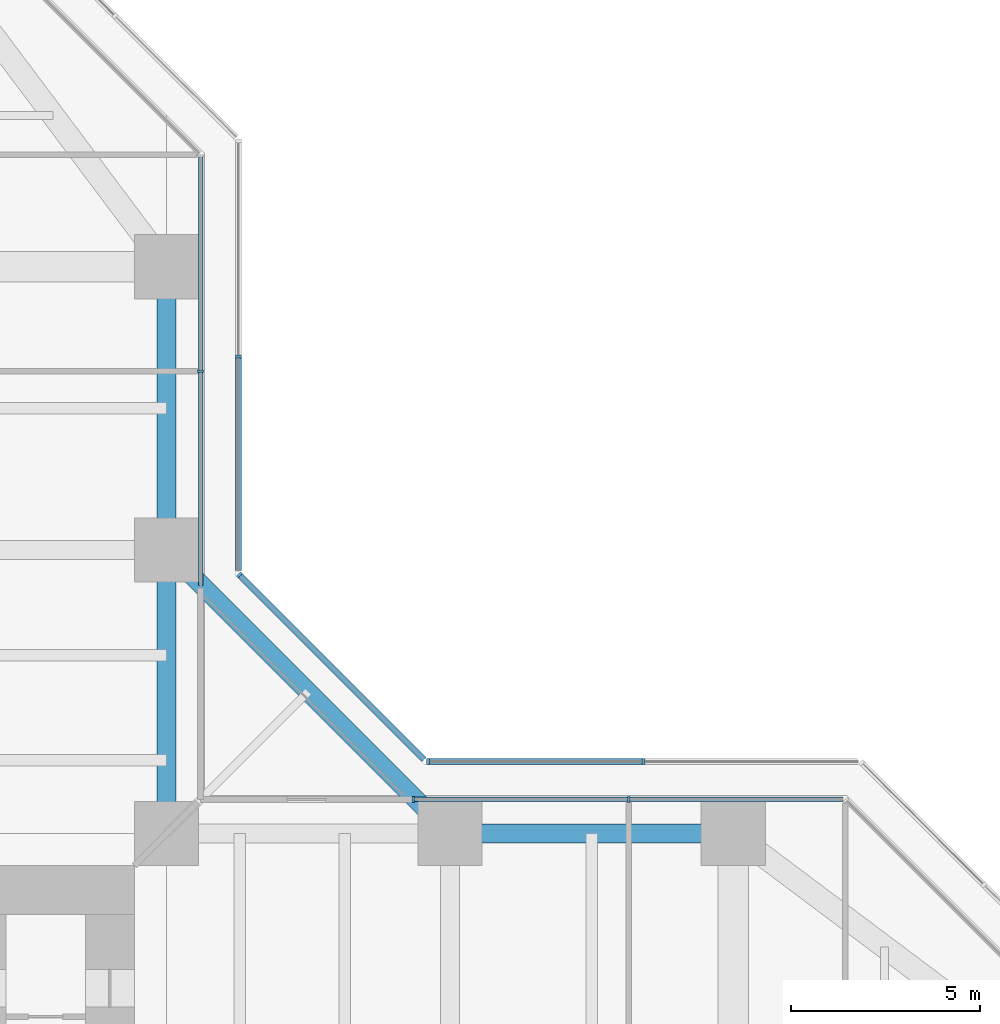
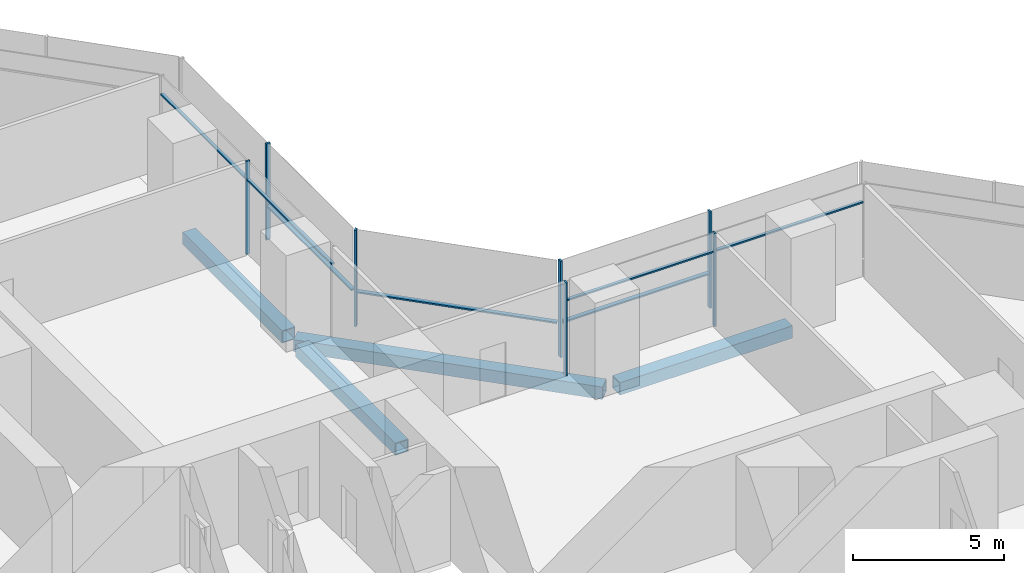
# One storey, part 11 of 22: 14 members, 4 beams, 5 elements without a shape of their own.
"""IFC4 building model written with IfcOpenShell, lengths in metres."""

from ifc_helpers import new_model, si_unit, direction, frame, origin, origin_2d, place, context, subcontext, project, spatial, rectangle, hollow_rectangle, extrude, material, material_profile, profile_set, type_object, element, aggregate, save


model = new_model("IFC4")

# Units and contexts
model_context = context("Model", 3, precision=1e-05, world=origin(), true_north=direction((0.0, 1.0)))
body_context = subcontext(model_context, "Body", "Model", "MODEL_VIEW")
ifc_project = project(units=[si_unit("LENGTHUNIT", "METRE"), si_unit("AREAUNIT", "SQUARE_METRE"), si_unit("VOLUMEUNIT", "CUBIC_METRE"), si_unit("PLANEANGLEUNIT", "RADIAN"), si_unit("MASSUNIT", "GRAM", prefix="KILO")], contexts=[model_context])

# Site, building, storey
site_placement = place(None, origin())
site = spatial("IfcSite", under=ifc_project, at=site_placement, CompositionType="ELEMENT")
building_placement = place(site_placement, origin())
building = spatial("IfcBuilding", under=site, at=building_placement, Name="Mizan Broadcast Tower", CompositionType="ELEMENT")
storey_placement = place(building_placement, frame((0.0, 0.0, 102.0)))
storey = spatial("IfcBuildingStorey", under=building, at=storey_placement, Name="L22", CompositionType="ELEMENT", Elevation=102.0)

# Beams
ifc_material_1 = material(Name="Steel S355", Category="steel")
ifc_material_profile_1 = material_profile(ifc_material_1, hollow_rectangle(XDim=0.5, YDim=0.5, WallThickness=0.030029296875, at=origin_2d()), Name="BOX 500x500x30")
ifc_profile_set_1 = profile_set([ifc_material_profile_1], Name="Steel S355")
beam_type = type_object("IfcBeamType", Name="EDGE BEAM BOX 500x500x30", PredefinedType="SPANDREL", material=ifc_profile_set_1)
for number, where, z_axis, x_axis, name in (
    (1, (19.949951171875, 12.0, -0.3798828125), (1.0, 0.0, 0.0), (0.0, 1.0, 0.0), "Edge beam BOX 500x500x30 L22 east arm"),
    (2, (12.0, 12.449951171875, -0.3798828125), (0.0, 1.0, 0.0), (-1.0, 0.0, 0.0), "Edge beam BOX 500x500x30 L22 north arm"),
    (3, (12.0, 19.949951171875, -0.3798828125), (0.0, 1.0, 0.0), (-1.0, 0.0, 0.0), "Edge beam BOX 500x500x30 L22 north arm"),
):
    element("IfcBeam", number, at=place(storey_placement, frame(where, z_axis=z_axis, x_axis=x_axis)), inside=storey, type_object=beam_type, Name=name, PredefinedType="SPANDREL", context=body_context, shape_type="SweptSolid", body=[
        extrude(hollow_rectangle(XDim=0.5, YDim=0.5, WallThickness=0.030029296875, at=origin_2d()), origin(), (0.0, 0.0, 1.0), 6.60009765625),
    ])
beam_placement = place(storey_placement, frame((19.5, 12.0, -0.3798828125), z_axis=(-0.707106781187, 0.707106781187, 0.0), x_axis=(-0.707106781187, -0.707106781187, 0.0)))
element("IfcBeam", 4, at=beam_placement, inside=storey, type_object=beam_type, Name="Winter garden edge beam L22 E", PredefinedType="SPANDREL", context=body_context, shape_type="SweptSolid", body=[
    extrude(hollow_rectangle(XDim=0.5, YDim=0.5, WallThickness=0.030029296875, at=origin_2d()), origin(), (0.0, 0.0, 1.0), 10.606689453125),
])

# Curtain wall, members
ifc_material_2 = material(Name="Aluminium framed glazing", Category="aluminium")
curtain_wall_type_1 = type_object("IfcCurtainWallType", Name="INNER SKIN LOW ZONE", PredefinedType="USERDEFINED", material=ifc_material_2)
curtain_wall_1_placement = place(storey_placement, origin())
curtain_wall_1 = element("IfcCurtainWall", 5, at=curtain_wall_1_placement, inside=storey, type_object=curtain_wall_type_1, Name="Inner skin low zone L22 E side", ObjectType="INNER SKIN LOW ZONE", PredefinedType="USERDEFINED")
ifc_material_3 = material(Name="Aluminium, pale anodised", Category="aluminium")
ifc_material_profile_2 = material_profile(ifc_material_3, rectangle(XDim=0.159912109375, YDim=0.06005859375, at=origin_2d()), Name="MULLION 160x60")
ifc_profile_set_2 = profile_set([ifc_material_profile_2], Name="Aluminium, pale anodised")
member_type_1 = type_object("IfcMemberType", Name="INNER SKIN MULLION 60x160", PredefinedType="MULLION", material=ifc_profile_set_2)
member_1_placement = place(storey_placement, frame((24.229248046875, 12.89990234375, 0.0), z_axis=(0.0, 0.0, 1.0), x_axis=(0.0, -1.0, 0.0)))
member_1 = element("IfcMember", 6, at=member_1_placement, type_object=member_type_1, Name="Inner skin low zone L22 E side mullion 2", PredefinedType="MULLION", context=body_context, shape_type="SweptSolid", body=[
    extrude(rectangle(XDim=0.159912109375, YDim=0.06005859375, at=origin_2d()), origin(), (0.0, 0.0, 1.0), 3.77001953125),
])
member_2_placement = place(storey_placement, frame((18.530029296875, 12.89990234375, 0.0), z_axis=(0.0, 0.0, 1.0), x_axis=(0.0, -1.0, 0.0)))
member_2 = element("IfcMember", 7, at=member_2_placement, type_object=member_type_1, Name="Inner skin low zone L22 E side mullion 3", PredefinedType="MULLION", context=body_context, shape_type="SweptSolid", body=[
    extrude(rectangle(XDim=0.159912109375, YDim=0.06005859375, at=origin_2d()), origin(), (0.0, 0.0, 1.0), 3.77001953125),
])

# Curtain wall, member
curtain_wall_2_placement = place(storey_placement, origin())
curtain_wall_2 = element("IfcCurtainWall", 8, at=curtain_wall_2_placement, inside=storey, type_object=curtain_wall_type_1, Name="Inner skin low zone L22 N side", ObjectType="INNER SKIN LOW ZONE", PredefinedType="USERDEFINED")
member_3_placement = place(storey_placement, frame((12.89990234375, 24.229248046875, 0.0), z_axis=(0.0, 0.0, 1.0), x_axis=(-1.0, 0.0, 0.0)))
member_3 = element("IfcMember", 9, at=member_3_placement, type_object=member_type_1, Name="Inner skin low zone L22 N side mullion 2", PredefinedType="MULLION", context=body_context, shape_type="SweptSolid", body=[
    extrude(rectangle(XDim=0.159912109375, YDim=0.06005859375, at=origin_2d()), origin(), (0.0, 0.0, 1.0), 3.77001953125),
])

# Member
ifc_material_4 = material(Name="Aluminium, pale anodised", Category="aluminium")
ifc_material_profile_3 = material_profile(ifc_material_4, rectangle(XDim=0.1201171875, YDim=0.06005859375, at=origin_2d()), Name="TRANSOM 120x60")
ifc_profile_set_3 = profile_set([ifc_material_profile_3], Name="Aluminium, pale anodised")
member_type_2 = type_object("IfcMemberType", Name="INNER SKIN TRANSOM 60x120", PredefinedType="USERDEFINED", material=ifc_profile_set_3)
member_4_placement = place(storey_placement, frame((29.898681640625, 12.89990234375, 3.030029296875), z_axis=(-1.0, 0.0, 0.0), x_axis=(0.0, -1.0, 0.0)))
member_4 = element("IfcMember", 10, at=member_4_placement, type_object=member_type_2, Name="Inner skin low zone L22 E side transom 1.1", ObjectType="TRANSOM", PredefinedType="USERDEFINED", context=body_context, shape_type="SweptSolid", body=[
    extrude(rectangle(XDim=0.1201171875, YDim=0.06005859375, at=origin_2d()), origin(), (0.0, 0.0, 1.0), 5.639404296875),
])

member_5_placement = place(storey_placement, frame((24.19921875, 12.89990234375, 3.030029296875), z_axis=(-1.0, 0.0, 0.0), x_axis=(0.0, -1.0, 0.0)))
member_5 = element("IfcMember", 11, at=member_5_placement, type_object=member_type_2, Name="Inner skin low zone L22 E side transom 2.1", ObjectType="TRANSOM", PredefinedType="USERDEFINED", context=body_context, shape_type="SweptSolid", body=[
    extrude(rectangle(XDim=0.1201171875, YDim=0.06005859375, at=origin_2d()), origin(), (0.0, 0.0, 1.0), 5.63916015625),
])

aggregate(curtain_wall_1, [member_1, member_2, member_4, member_5])

member_6_placement = place(storey_placement, frame((12.89990234375, 18.56005859375, 3.030029296875), z_axis=(0.0, 1.0, 0.0), x_axis=(-1.0, 0.0, 0.0)))
member_6 = element("IfcMember", 12, at=member_6_placement, type_object=member_type_2, Name="Inner skin low zone L22 N side transom 1.1", ObjectType="TRANSOM", PredefinedType="USERDEFINED", context=body_context, shape_type="SweptSolid", body=[
    extrude(rectangle(XDim=0.1201171875, YDim=0.06005859375, at=origin_2d()), origin(), (0.0, 0.0, 1.0), 5.63916015625),
])

member_7_placement = place(storey_placement, frame((12.89990234375, 24.25927734375, 3.030029296875), z_axis=(0.0, 1.0, 0.0), x_axis=(-1.0, 0.0, 0.0)))
member_7 = element("IfcMember", 13, at=member_7_placement, type_object=member_type_2, Name="Inner skin low zone L22 N side transom 2.1", ObjectType="TRANSOM", PredefinedType="USERDEFINED", context=body_context, shape_type="SweptSolid", body=[
    extrude(rectangle(XDim=0.1201171875, YDim=0.06005859375, at=origin_2d()), origin(), (0.0, 0.0, 1.0), 5.639404296875),
])

aggregate(curtain_wall_2, [member_3, member_6, member_7])

# Curtain wall, members
ifc_material_5 = material(Name="Aluminium framed glazing", Category="aluminium")
curtain_wall_type_2 = type_object("IfcCurtainWallType", Name="OUTER SKIN", PredefinedType="USERDEFINED", material=ifc_material_5)
curtain_wall_3_placement = place(storey_placement, origin())
curtain_wall_3 = element("IfcCurtainWall", 14, at=curtain_wall_3_placement, inside=storey, type_object=curtain_wall_type_2, Name="Outer skin L22 E side", ObjectType="OUTER SKIN", PredefinedType="USERDEFINED")
ifc_material_6 = material(Name="Aluminium, pale anodised", Category="aluminium")
ifc_material_profile_4 = material_profile(ifc_material_6, rectangle(XDim=0.159912109375, YDim=0.080078125, at=origin_2d()), Name="MULLION 160x80")
ifc_profile_set_4 = profile_set([ifc_material_profile_4], Name="Aluminium, pale anodised")
member_type_3 = type_object("IfcMemberType", Name="OUTER SKIN MULLION 80x160", PredefinedType="MULLION", material=ifc_profile_set_4)
member_8_placement = place(storey_placement, frame((24.622802734375, 13.89990234375, 0.0), z_axis=(0.0, 0.0, 1.0), x_axis=(0.0, -1.0, 0.0)))
member_8 = element("IfcMember", 15, at=member_8_placement, type_object=member_type_3, Name="Outer skin L22 E side mullion 2", PredefinedType="MULLION", context=body_context, shape_type="SweptSolid", body=[
    extrude(rectangle(XDim=0.159912109375, YDim=0.080078125, at=origin_2d()), origin(), (0.0, 0.0, 1.0), 3.89990234375),
])
member_9_placement = place(storey_placement, frame((18.912841796875, 13.89990234375, 0.0), z_axis=(0.0, 0.0, 1.0), x_axis=(0.0, -1.0, 0.0)))
member_9 = element("IfcMember", 16, at=member_9_placement, type_object=member_type_3, Name="Outer skin L22 E side mullion 3", PredefinedType="MULLION", context=body_context, shape_type="SweptSolid", body=[
    extrude(rectangle(XDim=0.159912109375, YDim=0.080078125, at=origin_2d()), origin(), (0.0, 0.0, 1.0), 3.89990234375),
])

# Curtain wall, member
curtain_wall_4_placement = place(storey_placement, origin())
curtain_wall_4 = element("IfcCurtainWall", 17, at=curtain_wall_4_placement, inside=storey, type_object=curtain_wall_type_2, Name="Outer skin L22 E chamfer", ObjectType="OUTER SKIN", PredefinedType="USERDEFINED")
member_10_placement = place(storey_placement, frame((13.92822265625, 18.844482421875, 0.0), z_axis=(0.0, 0.0, 1.0), x_axis=(-0.707106781187, -0.707106781187, 0.0)))
member_10 = element("IfcMember", 18, at=member_10_placement, type_object=member_type_3, Name="Outer skin L22 E chamfer mullion 2", PredefinedType="MULLION", context=body_context, shape_type="SweptSolid", body=[
    extrude(rectangle(XDim=0.159912109375, YDim=0.080078125, at=origin_2d()), origin(), (0.0, 0.0, 1.0), 3.89990234375),
])

curtain_wall_5_placement = place(storey_placement, origin())
curtain_wall_5 = element("IfcCurtainWall", 19, at=curtain_wall_5_placement, inside=storey, type_object=curtain_wall_type_2, Name="Outer skin L22 N side", ObjectType="OUTER SKIN", PredefinedType="USERDEFINED")
member_11_placement = place(storey_placement, frame((13.89990234375, 24.622802734375, 0.0), z_axis=(0.0, 0.0, 1.0), x_axis=(-1.0, 0.0, 0.0)))
member_11 = element("IfcMember", 20, at=member_11_placement, type_object=member_type_3, Name="Outer skin L22 N side mullion 2", PredefinedType="MULLION", context=body_context, shape_type="SweptSolid", body=[
    extrude(rectangle(XDim=0.159912109375, YDim=0.080078125, at=origin_2d()), origin(), (0.0, 0.0, 1.0), 3.89990234375),
])

# Member
ifc_material_7 = material(Name="Aluminium, pale anodised", Category="aluminium")
ifc_material_profile_5 = material_profile(ifc_material_7, rectangle(XDim=0.159912109375, YDim=0.06005859375, at=origin_2d()), Name="TRANSOM 160x60")
ifc_profile_set_5 = profile_set([ifc_material_profile_5], Name="Aluminium, pale anodised")
member_type_4 = type_object("IfcMemberType", Name="OUTER SKIN TRANSOM 60x160", PredefinedType="USERDEFINED", material=ifc_profile_set_5)
member_12_placement = place(storey_placement, frame((24.582763671875, 13.89990234375, 1.39990234375), z_axis=(-1.0, 0.0, 0.0), x_axis=(0.0, -1.0, 0.0)))
member_12 = element("IfcMember", 21, at=member_12_placement, type_object=member_type_4, Name="Outer skin L22 E side transom 2.1", ObjectType="TRANSOM", PredefinedType="USERDEFINED", context=body_context, shape_type="SweptSolid", body=[
    extrude(rectangle(XDim=0.159912109375, YDim=0.06005859375, at=origin_2d()), origin(), (0.0, 0.0, 1.0), 5.6298828125),
])

aggregate(curtain_wall_3, [member_8, member_9, member_12])

member_13_placement = place(storey_placement, frame((18.816162109375, 13.95654296875, 1.39990234375), z_axis=(-0.707106781187, 0.707106781187, 0.0), x_axis=(-0.707106781187, -0.707106781187, 0.0)))
member_13 = element("IfcMember", 22, at=member_13_placement, type_object=member_type_4, Name="Outer skin L22 E chamfer transom 1.1", ObjectType="TRANSOM", PredefinedType="USERDEFINED", context=body_context, shape_type="SweptSolid", body=[
    extrude(rectangle(XDim=0.159912109375, YDim=0.06005859375, at=origin_2d()), origin(), (0.0, 0.0, 1.0), 6.87255859375),
])

aggregate(curtain_wall_4, [member_10, member_13])

member_14_placement = place(storey_placement, frame((13.89990234375, 18.952880859375, 1.39990234375), z_axis=(0.0, 1.0, 0.0), x_axis=(-1.0, 0.0, 0.0)))
member_14 = element("IfcMember", 23, at=member_14_placement, type_object=member_type_4, Name="Outer skin L22 N side transom 1.1", ObjectType="TRANSOM", PredefinedType="USERDEFINED", context=body_context, shape_type="SweptSolid", body=[
    extrude(rectangle(XDim=0.159912109375, YDim=0.06005859375, at=origin_2d()), origin(), (0.0, 0.0, 1.0), 5.6298828125),
])

aggregate(curtain_wall_5, [member_11, member_14])

save(model, "model.ifc")
